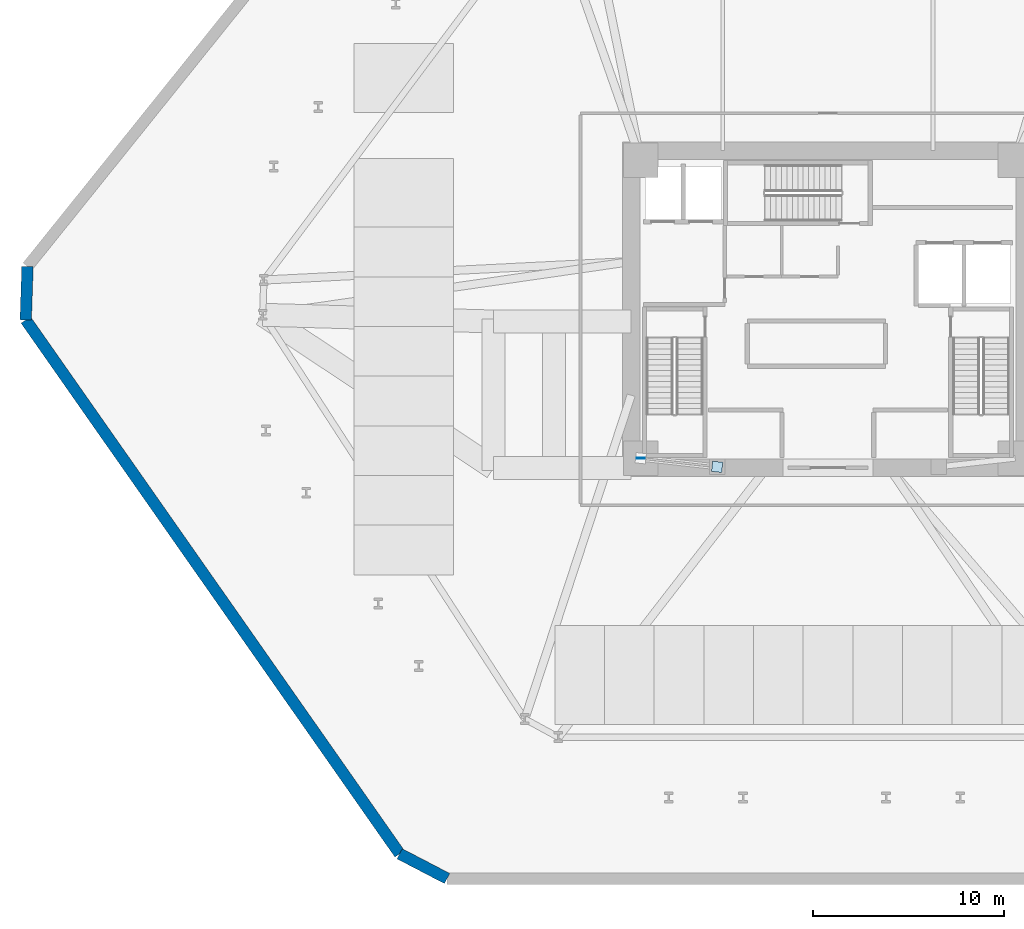
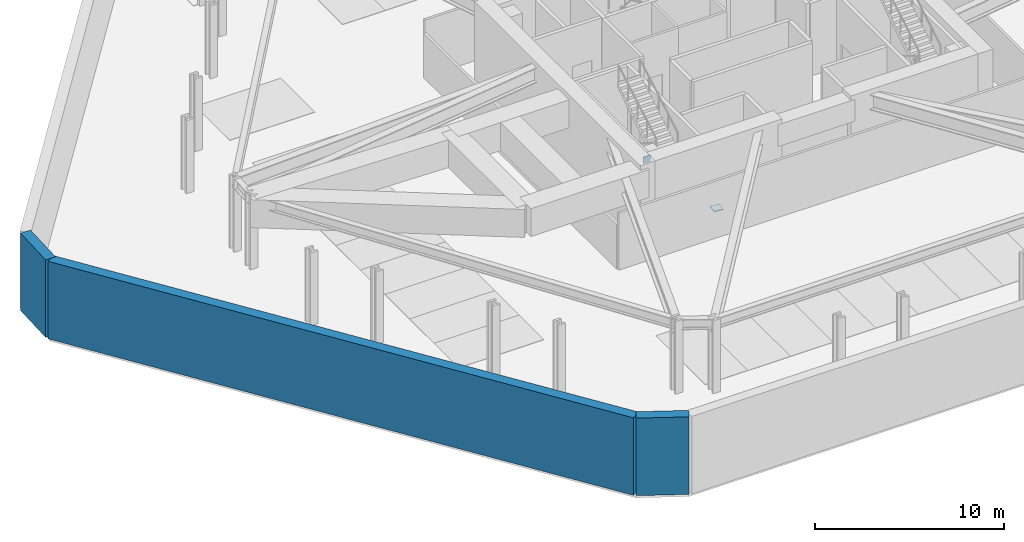
# One storey, part 3 of 8: 3 walls, 2 plates.
"""IFC4 building model written with IfcOpenShell, lengths in metres."""

from ifc_helpers import new_model, si_unit, direction, frame, frame_2d, origin, origin_2d, place, context, subcontext, project, spatial, rectangle, extrude, source, transform, mapped, material, layer, layer_set, type_object, type_shapes, element, save


model = new_model("IFC4")

# Units and contexts
model_context = context("Model", 3, precision=1e-05, world=origin(), true_north=direction((0.0, 1.0)))
body_context = subcontext(model_context, "Body", "Model", "MODEL_VIEW")
ifc_project = project(units=[si_unit("LENGTHUNIT", "METRE"), si_unit("AREAUNIT", "SQUARE_METRE"), si_unit("VOLUMEUNIT", "CUBIC_METRE"), si_unit("PLANEANGLEUNIT", "RADIAN"), si_unit("MASSUNIT", "GRAM", prefix="KILO")], contexts=[model_context])

# Site, building, storey
site_placement = place(None, origin())
site = spatial("IfcSite", under=ifc_project, at=site_placement, CompositionType="ELEMENT")
building_placement = place(site_placement, origin())
building = spatial("IfcBuilding", under=site, at=building_placement, Name="Durnholm Broadcast Tower", CompositionType="ELEMENT")
storey_placement = place(building_placement, frame((0.0, 0.0, -5.0)))
storey = spatial("IfcBuildingStorey", under=building, at=storey_placement, Name="B01", CompositionType="ELEMENT", Elevation=-5.0)

# Plates
ifc_material_1 = material(Name="Steel ASTM A572 Grade 50", Category="steel")
ifc_layer_1 = layer(ifc_material_1, 0.044921875)
ifc_layer_set_1 = layer_set([ifc_layer_1], Name="Steel ASTM A572 Grade 50")
plate_type_1 = type_object("IfcPlateType", Name="PLT-KN-STIF", PredefinedType="SHEET", material=ifc_layer_set_1)
shared_shape_1 = source(origin(), body_context, "Body", "SweptSolid", [
    extrude(rectangle(XDim=0.419921875, YDim=0.050048828125, at=origin_2d()), origin(), (0.0, 0.0, 1.0), 0.419921875),
])
type_shapes(plate_type_1, [shared_shape_1])
plate_1_placement = place(storey_placement, frame((-9.800048828125, -7.800048828125, 4.321044921875), z_axis=(0.0, 0.0, 1.0), x_axis=(1.0, 0.0, 0.0)))
element("IfcPlate", 1, at=plate_1_placement, inside=storey, type_object=plate_type_1, Name="B01 gallery stringer brace core wall cast-in plate", ObjectType="GUSSET_PLATE", PredefinedType="USERDEFINED", context=body_context, shape_type="MappedRepresentation", body=[
    mapped(shared_shape_1, transform((0.0, 0.0, 0.0), x_axis=(1.0, 0.0, 0.0), y_axis=(0.0, 1.0, 0.0), z_axis=(0.0, 0.0, 1.0), scale=1.0)),
])
ifc_layer_2 = layer(ifc_material_1, 0.0400390625)
ifc_layer_set_2 = layer_set([ifc_layer_2], Name="Steel ASTM A572 Grade 50")
plate_type_2 = type_object("IfcPlateType", Name="PLT-KN-CAP", PredefinedType="USERDEFINED", material=ifc_layer_set_2)
shared_shape_2 = source(origin(), body_context, "Body", "SweptSolid", [
    extrude(rectangle(XDim=0.5400390625, YDim=0.5400390625, at=origin_2d()), origin(), (0.0, 0.0, 1.0), 0.0400390625),
])
type_shapes(plate_type_2, [shared_shape_2])
plate_2_placement = place(storey_placement, frame((-5.800048828125, -8.25, 0.22998046875), z_axis=(0.0, 0.0, 1.0), x_axis=(-0.99372894862, 0.111815815852, 0.0)))
element("IfcPlate", 2, at=plate_2_placement, inside=storey, type_object=plate_type_2, Name="B01 hollow section end cap plate STL-STG-B01-1 1", ObjectType="CAP_PLATE", PredefinedType="USERDEFINED", context=body_context, shape_type="MappedRepresentation", body=[
    mapped(shared_shape_2, transform((0.0, 0.0, 0.0), x_axis=(1.0, 0.0, 0.0), y_axis=(0.0, 1.0, 0.0), z_axis=(0.0, 0.0, 1.0), scale=1.0)),
])

# Walls
ifc_material_2 = material(Name="Concrete C50/60", Category="concrete")
ifc_layer_3 = layer(ifc_material_2, 0.60009765625)
ifc_layer_set_3 = layer_set([ifc_layer_3], Name="Concrete C50/60")
wall_type = type_object("IfcWallType", Name="WALL-RET-600", PredefinedType="USERDEFINED", material=ifc_layer_set_3)
for number, where, z_axis, x_axis, name in (
    (3, (-22.421142578125, -28.507080078125, 0.0), (0.0, 0.0, 1.0), (0.887001141035, -0.461767231192, 0.0), "B01 perimeter retaining wall 1"),
    (4, (-41.90380859375, 2.240478515625, 0.0), (0.0, 0.0, 1.0), (-0.032870651185, -0.999459614137, 0.0), "B01 perimeter retaining wall 11"),
):
    element("IfcWall", number, at=place(storey_placement, frame(where, z_axis=z_axis, x_axis=x_axis)), inside=storey, type_object=wall_type, Name=name, ObjectType="RETAININGWALL", PredefinedType="USERDEFINED", context=body_context, shape_type="SweptSolid", body=[
        extrude(rectangle(XDim=2.800048828125, YDim=0.60009765625, at=frame_2d((1.39990234375, 0.0))), origin(), (0.0, 0.0, 1.0), 5.0),
    ])
wall_placement = place(storey_placement, frame((-41.995849609375, -0.55810546875, 0.0), z_axis=(0.0, 0.0, 1.0), x_axis=(0.573667370151, -0.819088364234, 0.0)))
element("IfcWall", 5, at=wall_placement, inside=storey, type_object=wall_type, Name="B01 perimeter retaining wall 12", ObjectType="RETAININGWALL", PredefinedType="USERDEFINED", context=body_context, shape_type="SweptSolid", body=[
    extrude(rectangle(XDim=34.1220703125, YDim=0.60009765625, at=frame_2d((17.06103515625, 0.0))), origin(), (0.0, 0.0, 1.0), 5.0),
])

save(model, "model.ifc")
